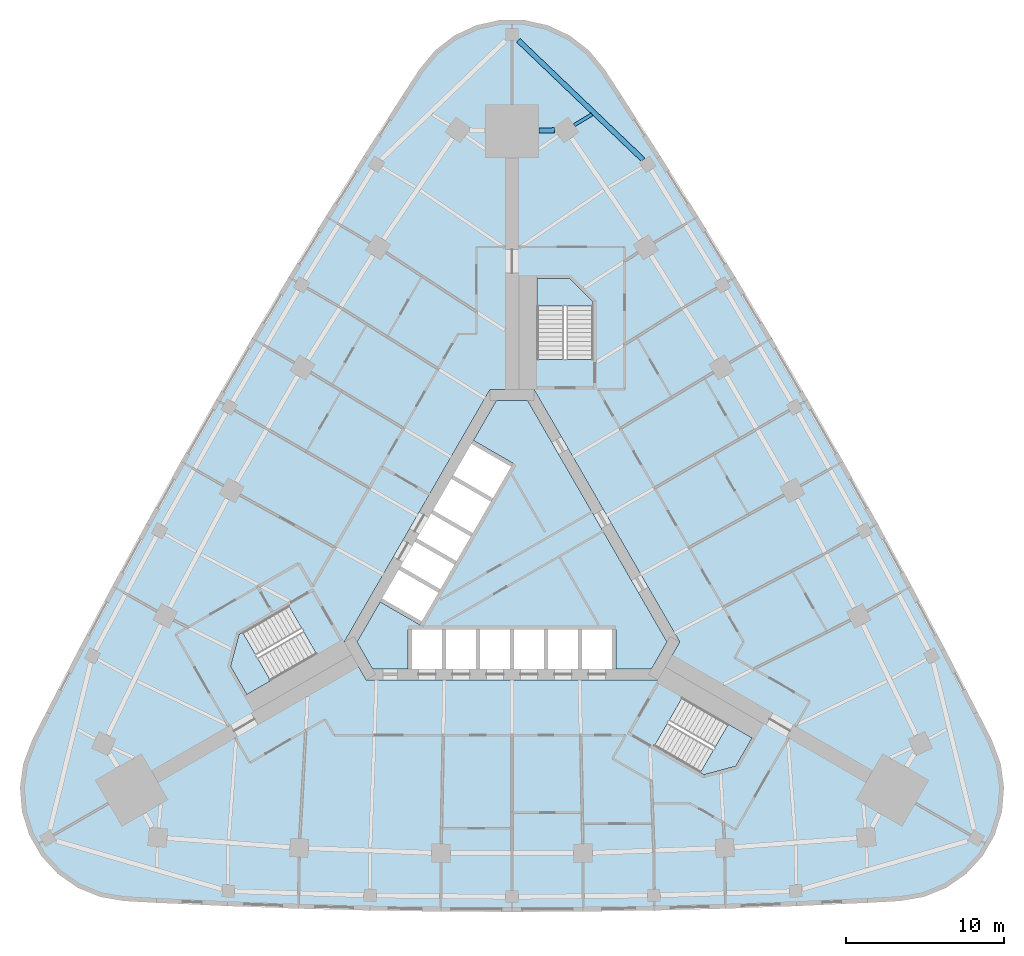
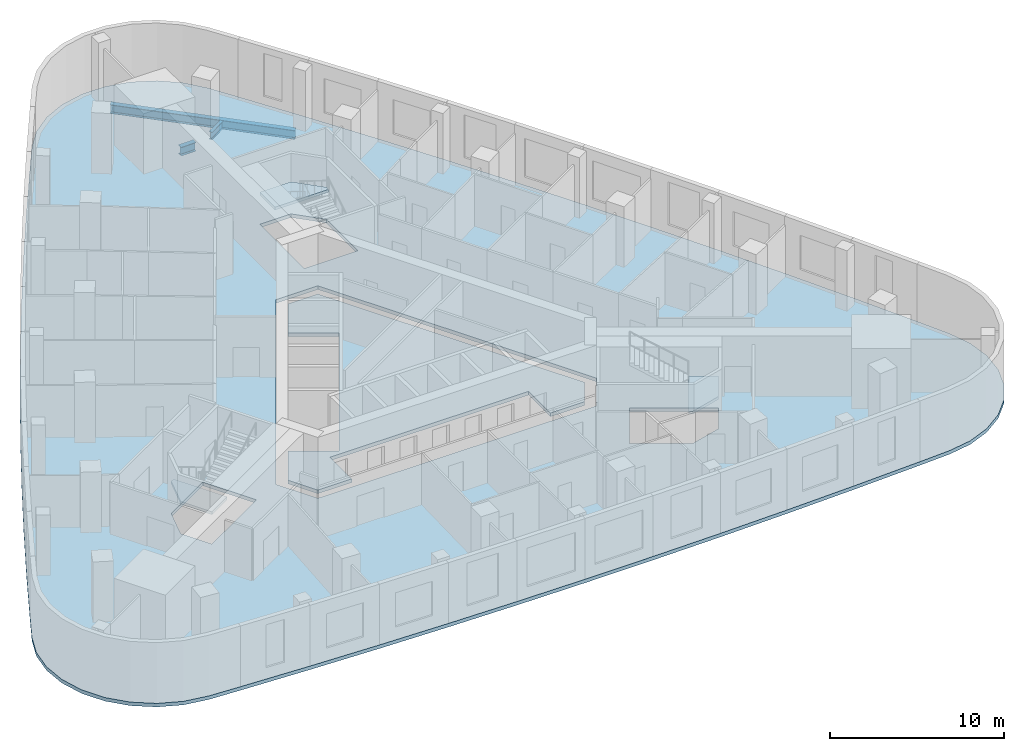
# One storey, part 3 of 11: 5 slabs, 3 beams, 3 elements without a shape of their own.
"""IFC4 building model written with IfcOpenShell, lengths in metres."""

from ifc_helpers import new_model, si_unit, direction, frame, origin, origin_2d, place, context, subcontext, project, spatial, polyline, i_section, outline, extrude, material, layer, layer_set, material_profile, profile_set, type_object, element, aggregate, save


model = new_model("IFC4")

# Units and contexts
model_context = context("Model", 3, precision=1e-05, world=origin(), true_north=direction((0.0, 1.0)))
body_context = subcontext(model_context, "Body", "Model", "MODEL_VIEW")
ifc_project = project(units=[si_unit("LENGTHUNIT", "METRE"), si_unit("AREAUNIT", "SQUARE_METRE"), si_unit("VOLUMEUNIT", "CUBIC_METRE"), si_unit("PLANEANGLEUNIT", "RADIAN"), si_unit("MASSUNIT", "GRAM", prefix="KILO")], contexts=[model_context])

# Site, building, storey
site_placement = place(None, origin())
site = spatial("IfcSite", under=ifc_project, at=site_placement, CompositionType="ELEMENT")
building_placement = place(site_placement, origin())
building = spatial("IfcBuilding", under=site, at=building_placement, Name="Noor Cloister Tower", CompositionType="ELEMENT")
storey_placement = place(building_placement, frame((0.0, 0.0, 10.5)))
storey = spatial("IfcBuildingStorey", under=building, at=storey_placement, Name="L02", CompositionType="ELEMENT", Elevation=10.5)

# Beams
ifc_material_1 = material(Name="Steel ASTM A992 Gr 50", Category="steel")
ifc_material_profile_1 = material_profile(ifc_material_1, i_section(OverallWidth=0.324951171875, OverallDepth=0.612060546875, WebThickness=0.0126953125, FlangeThickness=0.01904296875, FilletRadius=0.0126953125, at=origin_2d()), Name="W610x155")
ifc_profile_set_1 = profile_set([ifc_material_profile_1], Name="Steel ASTM A992 Gr 50")
beam_type_1 = type_object("IfcBeamType", Name="Podium column line beam W610x155", PredefinedType="BEAM", material=ifc_profile_set_1)
beam_1_placement = place(storey_placement, frame((2.6962890625, 27.8447265625, -0.555908203125), z_axis=(-0.999788233423, -0.020578831563, 0.0), x_axis=(0.020578831563, -0.999788233423, 0.0)))
element("IfcBeam", 1, at=beam_1_placement, inside=storey, type_object=beam_type_1, Name="Podium end beam NE 10 L02", PredefinedType="BEAM", context=body_context, shape_type="SweptSolid", body=[
    extrude(i_section(OverallWidth=0.324951171875, OverallDepth=0.612060546875, WebThickness=0.0126953125, FlangeThickness=0.01904296875, FilletRadius=0.0126953125, at=origin_2d()), origin(), (0.0, 0.0, 1.0), 0.99658203125),
])
ifc_material_2 = material(Name="Steel ASTM A992 Gr 50", Category="steel")
ifc_material_profile_2 = material_profile(ifc_material_2, i_section(OverallWidth=0.324951171875, OverallDepth=0.616943359375, WebThickness=0.013916015625, FlangeThickness=0.021484375, FilletRadius=0.0126953125, at=origin_2d()), Name="W610x174")
ifc_profile_set_2 = profile_set([ifc_material_profile_2], Name="Steel ASTM A992 Gr 50")
beam_type_2 = type_object("IfcBeamType", Name="Podium perimeter beam W610x174", PredefinedType="BEAM", material=ifc_profile_set_2)
beam_2_placement = place(storey_placement, frame((8.29443359375, 25.979248046875, -0.55859375), z_axis=(-0.722642827837, 0.691221631154, 0.0), x_axis=(-0.691221631154, -0.722642827837, 0.0)))
element("IfcBeam", 2, at=beam_2_placement, inside=storey, type_object=beam_type_2, Name="Podium perimeter beam 18 L02", PredefinedType="BEAM", context=body_context, shape_type="SweptSolid", body=[
    extrude(i_section(OverallWidth=0.324951171875, OverallDepth=0.616943359375, WebThickness=0.013916015625, FlangeThickness=0.021484375, FilletRadius=0.0126953125, at=origin_2d()), origin(), (0.0, 0.0, 1.0), 10.924560546875),
])
ifc_material_3 = material(Name="Steel ASTM A992 Gr 50", Category="steel")
ifc_material_profile_3 = material_profile(ifc_material_3, i_section(OverallWidth=0.208984375, OverallDepth=0.532958984375, WebThickness=0.01025390625, FlangeThickness=0.015625, FilletRadius=0.0126953125, at=origin_2d()), Name="W530x92")
ifc_profile_set_3 = profile_set([ifc_material_profile_3], Name="Steel ASTM A992 Gr 50")
beam_type_3 = type_object("IfcBeamType", Name="Podium stub beam W530x92", PredefinedType="BEAM", material=ifc_profile_set_3)
beam_3_placement = place(storey_placement, frame((3.936767578125, 28.169921875, -0.5166015625), z_axis=(0.85703318355, 0.515261217534, 0.0), x_axis=(-0.515261217534, 0.85703318355, 0.0)))
element("IfcBeam", 3, at=beam_3_placement, inside=storey, type_object=beam_type_3, Name="Podium stub beam NE 10 L02", PredefinedType="BEAM", context=body_context, shape_type="SweptSolid", body=[
    extrude(i_section(OverallWidth=0.208984375, OverallDepth=0.532958984375, WebThickness=0.01025390625, FlangeThickness=0.015625, FilletRadius=0.0126953125, at=origin_2d()), origin(), (0.0, 0.0, 1.0), 1.31298828125),
])

# Slabs
ifc_material_4 = material(Name="Concrete C40/50", Category="concrete")
ifc_layer_1 = layer(ifc_material_4, 0.25)
ifc_layer_set_1 = layer_set([ifc_layer_1], Name="Core floor slab 250 C40/50")
slab_type_1 = type_object("IfcSlabType", Name="Core floor slab 250 C40/50", PredefinedType="FLOOR", material=ifc_layer_set_1)
slab_1_placement = place(storey_placement, frame((0.0, 0.0, -0.25)))
element("IfcSlab", 4, at=slab_1_placement, inside=storey, type_object=slab_type_1, Name="Core floor L02", PredefinedType="FLOOR", context=body_context, shape_type="SweptSolid", body=[
    extrude(outline(polyline([(-6.574951171875, -6.228271484375), (-6.574951171875, -3.728271484375), (6.574951171875, -3.728271484375), (6.574951171875, -6.228271484375), (8.82470703125, -6.228271484375), (9.80615234375, -4.5283203125), (0.9814453125, 10.75634765625), (-0.9814453125, 10.75634765625), (-2.44384765625, 8.2236328125), (0.067626953125, 6.773681640625), (-5.832275390625, -3.4453125), (-8.34375, -1.995361328125), (-9.80615234375, -4.5283203125), (-8.82470703125, -6.228271484375), (-6.574951171875, -6.228271484375)])), origin(), (0.0, 0.0, 1.0), 0.25),
])
ifc_material_5 = material(Name="Concrete C40/50", Category="concrete")
ifc_layer_2 = layer(ifc_material_5, 0.25)
ifc_layer_set_2 = layer_set([ifc_layer_2], Name="Podium floor slab 250")
slab_type_2 = type_object("IfcSlabType", Name="Podium floor slab 250", PredefinedType="FLOOR", material=ifc_layer_set_2)
slab_2_placement = place(storey_placement, frame((0.0, 0.0, -0.25)))
element("IfcSlab", 5, at=slab_2_placement, inside=storey, type_object=slab_type_2, Name="Floor slab L02", PredefinedType="FLOOR", context=body_context, shape_type="SweptSolid", body=[
    extrude(outline(polyline([(5.85693359375, 31.69677734375), (4.877685546875, 32.884033203125), (3.662841796875, 33.828369140625), (2.27099609375, 34.484619140625), (0.769287109375, 34.82080078125), (-0.769287109375, 34.82080078125), (-2.27099609375, 34.484619140625), (-3.662841796875, 33.828369140625), (-4.877685546875, 32.884033203125), (-5.85693359375, 31.69677734375), (-6.96728515625, 29.991943359375), (-9.394775390625, 26.202880859375), (-11.783447265625, 22.38916015625), (-14.1328125, 18.551025390625), (-16.4423828125, 14.689208984375), (-18.71240234375, 10.8037109375), (-20.9423828125, 6.89501953125), (-23.132080078125, 2.963623046875), (-25.28125, -0.98974609375), (-27.389892578125, -4.96533203125), (-29.457275390625, -8.962158203125), (-30.378662109375, -10.7763671875), (-30.917236328125, -12.2177734375), (-31.127685546875, -13.7421875), (-31.0, -15.275634765625), (-30.540283203125, -16.744140625), (-29.77099609375, -18.07666015625), (-28.72900390625, -19.208984375), (-27.46484375, -20.086181640625), (-26.03955078125, -20.666259765625), (-24.52197265625, -20.920654296875), (-22.490234375, -21.02978515625), (-17.994873046875, -21.237548828125), (-13.497802734375, -21.3994140625), (-8.999267578125, -21.514892578125), (-4.5, -21.584228515625), (0.0, -21.607177734375), (4.5, -21.584228515625), (8.999267578125, -21.514892578125), (13.497802734375, -21.3994140625), (17.994873046875, -21.237548828125), (22.490234375, -21.02978515625), (24.52197265625, -20.920654296875), (26.03955078125, -20.666259765625), (27.46484375, -20.086181640625), (28.72900390625, -19.208984375), (29.77099609375, -18.07666015625), (30.540283203125, -16.744140625), (31.0, -15.275634765625), (31.127685546875, -13.7421875), (30.917236328125, -12.2177734375), (30.378662109375, -10.7763671875), (29.457275390625, -8.962158203125), (27.389892578125, -4.96533203125), (25.28125, -0.98974609375), (23.132080078125, 2.963623046875), (20.9423828125, 6.89501953125), (18.71240234375, 10.8037109375), (16.4423828125, 14.689208984375), (14.1328125, 18.551025390625), (11.783447265625, 22.38916015625), (9.394775390625, 26.202880859375), (6.96728515625, 29.991943359375), (5.85693359375, 31.69677734375)]), holes=[polyline([(-9.228759765625, -6.92822265625), (9.228759765625, -6.92822265625), (10.6142578125, -4.5283203125), (1.3857421875, 11.456298828125), (-1.3857421875, 11.456298828125), (-10.6142578125, -4.5283203125), (-9.228759765625, -6.92822265625)]), polyline([(1.585693359375, 18.456298828125), (1.585693359375, 13.35693359375), (5.135498046875, 13.35693359375), (5.135498046875, 16.9736328125), (3.65283203125, 18.456298828125), (1.585693359375, 18.456298828125)]), polyline([(-16.776611328125, -7.85498046875), (-12.3603515625, -5.305419921875), (-14.13525390625, -2.23095703125), (-16.662841796875, -3.690185546875), (-17.267333984375, -4.039306640625), (-17.81005859375, -6.064697265625), (-16.776611328125, -7.85498046875)]), polyline([(12.131591796875, -12.934326171875), (14.1572265625, -12.3916015625), (15.19091796875, -10.601318359375), (10.774658203125, -8.0517578125), (8.999755859375, -11.126220703125), (12.131591796875, -12.934326171875)])]), origin(), (0.0, 0.0, 1.0), 0.25),
])

# Stair, slab
ifc_material_6 = material(Name="Concrete C40/50", Category="concrete")
stair_type = type_object("IfcStairType", Name="Exit stair 26 risers", PredefinedType="HALF_TURN_STAIR", material=ifc_material_6)
stair_1_placement = place(storey_placement, origin())
stair_1 = element("IfcStair", 6, at=stair_1_placement, inside=storey, type_object=stair_type, Name="Exit stair ST1 L02", PredefinedType="HALF_TURN_STAIR")
ifc_material_7 = material(Name="Concrete C40/50", Category="concrete")
ifc_layer_3 = layer(ifc_material_7, 0.199951171875)
ifc_layer_set_3 = layer_set([ifc_layer_3], Name="Stair landing 200 C40/50")
slab_type_3 = type_object("IfcSlabType", Name="Stair landing 200 C40/50", PredefinedType="LANDING", material=ifc_layer_set_3)
slab_3_placement = place(storey_placement, frame((0.0, 0.0, 2.050048828125)))
slab_3 = element("IfcSlab", 7, at=slab_3_placement, type_object=slab_type_3, Name="ST1 landing 1", PredefinedType="LANDING", context=body_context, shape_type="SweptSolid", body=[
    extrude(outline(polyline([(5.135498046875, 16.7158203125), (5.135498046875, 16.9736328125), (3.65283203125, 18.456298828125), (1.585693359375, 18.456298828125), (1.585693359375, 16.7158203125), (5.135498046875, 16.7158203125)])), origin(), (0.0, 0.0, 1.0), 0.199951171875),
])
aggregate(stair_1, [slab_3])

stair_2_placement = place(storey_placement, origin())
stair_2 = element("IfcStair", 8, at=stair_2_placement, inside=storey, type_object=stair_type, Name="Exit stair ST2 L02", PredefinedType="HALF_TURN_STAIR")
slab_4_placement = place(storey_placement, frame((0.0, 0.0, 2.050048828125)))
slab_4 = element("IfcSlab", 9, at=slab_4_placement, type_object=slab_type_3, Name="ST2 landing 1", PredefinedType="LANDING", context=body_context, shape_type="SweptSolid", body=[
    extrude(outline(polyline([(-17.044189453125, -3.910400390625), (-17.267333984375, -4.039306640625), (-17.81005859375, -6.064697265625), (-16.776611328125, -7.85498046875), (-15.26904296875, -6.984619140625), (-17.044189453125, -3.910400390625)])), origin(), (0.0, 0.0, 1.0), 0.199951171875),
])
aggregate(stair_2, [slab_4])

stair_3_placement = place(storey_placement, origin())
stair_3 = element("IfcStair", 10, at=stair_3_placement, inside=storey, type_object=stair_type, Name="Exit stair ST3 L02", PredefinedType="HALF_TURN_STAIR")
slab_5_placement = place(storey_placement, frame((0.0, 0.0, 2.050048828125)))
slab_5 = element("IfcSlab", 11, at=slab_5_placement, type_object=slab_type_3, Name="ST3 landing 1", PredefinedType="LANDING", context=body_context, shape_type="SweptSolid", body=[
    extrude(outline(polyline([(11.908447265625, -12.805419921875), (12.131591796875, -12.934326171875), (14.1572265625, -12.3916015625), (15.19091796875, -10.601318359375), (13.68359375, -9.731201171875), (11.908447265625, -12.805419921875)])), origin(), (0.0, 0.0, 1.0), 0.199951171875),
])
aggregate(stair_3, [slab_5])

save(model, "model.ifc")
